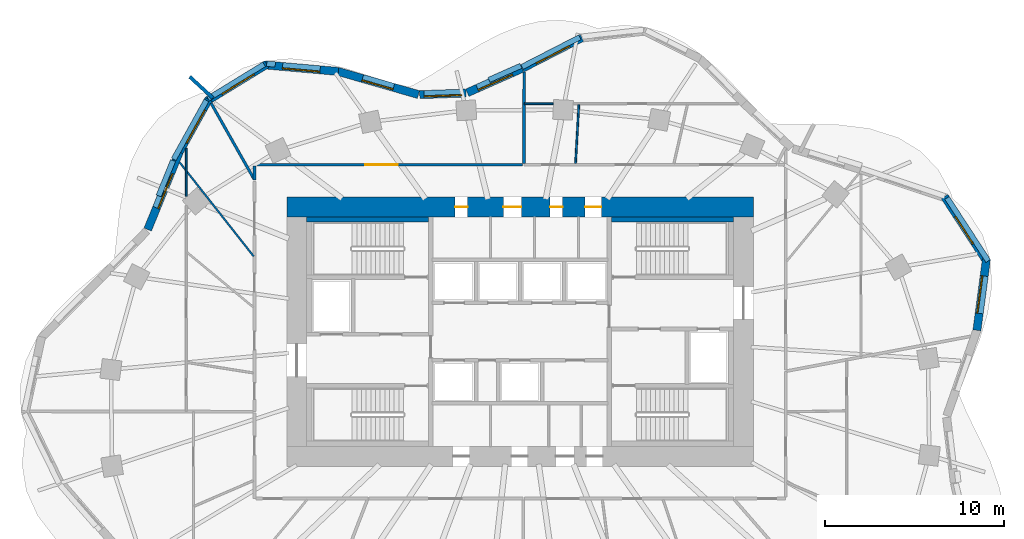
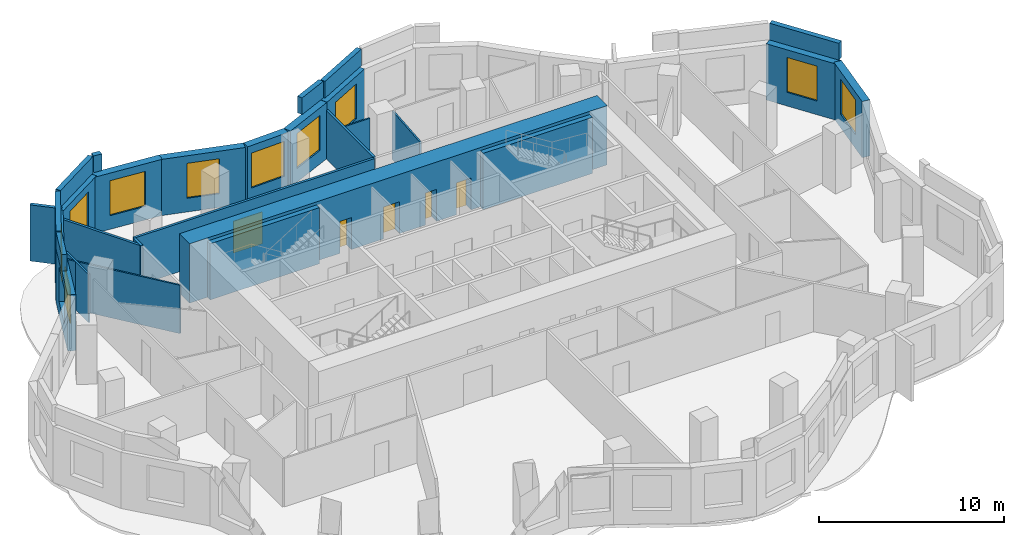
# One storey, part 7 of 10: 29 walls, 10 windows, 5 doors, 15 openings.
"""IFC4 building model written with IfcOpenShell, lengths in metres."""

from ifc_helpers import new_model, si_unit, direction, frame, frame_2d, origin, place, context, subcontext, project, spatial, rectangle, extrude, material, layer, layer_set, type_object, element, fill, save


model = new_model("IFC4")

# Units and contexts
model_context = context("Model", 3, precision=1e-05, world=origin(), true_north=direction((0.0, 1.0)))
body_context = subcontext(model_context, "Body", "Model", "MODEL_VIEW")
ifc_project = project(units=[si_unit("LENGTHUNIT", "METRE"), si_unit("AREAUNIT", "SQUARE_METRE"), si_unit("VOLUMEUNIT", "CUBIC_METRE"), si_unit("PLANEANGLEUNIT", "RADIAN"), si_unit("MASSUNIT", "GRAM", prefix="KILO")], contexts=[model_context])

# Site, building, storey
site_placement = place(None, origin())
site = spatial("IfcSite", under=ifc_project, at=site_placement, CompositionType="ELEMENT")
building_placement = place(site_placement, origin())
building = spatial("IfcBuilding", under=site, at=building_placement, Name="Rubra Terraces Tower", CompositionType="ELEMENT")
storey_placement = place(building_placement, frame((0.0, 0.0, 153.89990234375)))
storey = spatial("IfcBuildingStorey", under=building, at=storey_placement, Name="L37", CompositionType="ELEMENT", Elevation=153.89990234375)

# Wall, opening, window
ifc_material_1 = material(Name="Brick masonry red-brown", Category="masonry")
ifc_layer_1 = layer(ifc_material_1, 0.449951171875)
ifc_layer_set_1 = layer_set([ifc_layer_1], Name="Brick masonry red-brown")
wall_type_1 = type_object("IfcWallType", Name="Brick facade wall 450", PredefinedType="SOLIDWALL", material=ifc_layer_set_1)
wall_1_placement = place(storey_placement, frame((25.457275390625, 4.57470703125, 0.0), z_axis=(0.0, 0.0, 1.0), x_axis=(0.132475046402, 0.991186340746, 0.0)))
wall_1 = element("IfcWall", 1, at=wall_1_placement, inside=storey, type_object=wall_type_1, Name="Facade wall L37 bay 2", PredefinedType="SOLIDWALL", context=body_context, shape_type="SweptSolid", body=[
    extrude(rectangle(XDim=4.006591796875, YDim=0.449951171875, at=frame_2d((2.00341796875, 0.0))), origin(), (0.0, 0.0, 1.0), 3.7001953125),
])
opening_1_placement = place(wall_1_placement, frame((0.953125, 0.0, 0.89990234375)))
opening_1 = element("IfcOpeningElement", 2, at=opening_1_placement, cuts=wall_1, Name="Opening W1B", PredefinedType="OPENING", context=body_context, shape_type="SweptSolid", body=[
    extrude(rectangle(XDim=2.10009765625, YDim=2.300048828125, at=frame_2d((1.050048828125, 1.14990234375))), frame((0.0, 0.23486328125, 0.0), z_axis=(0.0, -1.0, 0.0), x_axis=(1.0, 0.0, 0.0)), (0.0, 0.0, 1.0), 0.469970703125),
])
ifc_material_2 = material(Name="Clear glass in aluminium frame", Category="aluminium")
window_type_1 = type_object("IfcWindowType", Name="Fixed deep-set window tall storey 2100 x 2300", PartitioningType="SINGLE_PANEL", PredefinedType="WINDOW", material=ifc_material_2)
window_1_placement = place(opening_1_placement, origin())
window_1 = element("IfcWindow", 3, at=window_1_placement, inside=storey, type_object=window_type_1, Name="Window L37 bay 2", OverallHeight=2.300048828125, OverallWidth=2.10009765625, PartitioningType="SINGLE_PANEL", PredefinedType="WINDOW", context=body_context, shape_type="SweptSolid", body=[
    extrude(rectangle(XDim=2.10009765625, YDim=2.300048828125, at=frame_2d((1.050048828125, 1.14990234375))), frame((0.0, 0.135009765625, 0.0), z_axis=(0.0, -1.0, 0.0), x_axis=(1.0, 0.0, 0.0)), (0.0, 0.0, 1.0), 0.06005859375),
])
fill(opening_1, window_1)

wall_2_placement = place(storey_placement, frame((26.0224609375, 8.393310546875, 0.0), z_axis=(0.0, 0.0, 1.0), x_axis=(-0.545637310328, 0.838021435035, 0.0)))
wall_2 = element("IfcWall", 4, at=wall_2_placement, inside=storey, type_object=wall_type_1, Name="Facade wall L37 bay 3", PredefinedType="SOLIDWALL", context=body_context, shape_type="SweptSolid", body=[
    extrude(rectangle(XDim=4.336181640625, YDim=0.449951171875, at=frame_2d((2.16796875, 0.0))), origin(), (0.0, 0.0, 1.0), 3.7001953125),
])
opening_2_placement = place(wall_2_placement, frame((1.268310546875, 0.0, 0.89990234375)))
opening_2 = element("IfcOpeningElement", 5, at=opening_2_placement, cuts=wall_2, Name="Opening W6B", PredefinedType="OPENING", context=body_context, shape_type="SweptSolid", body=[
    extrude(rectangle(XDim=1.800048828125, YDim=2.300048828125, at=frame_2d((0.89990234375, 1.14990234375))), frame((0.0, 0.23486328125, 0.0), z_axis=(0.0, -1.0, 0.0), x_axis=(1.0, 0.0, 0.0)), (0.0, 0.0, 1.0), 0.469970703125),
])
window_type_2 = type_object("IfcWindowType", Name="Fixed deep-set window at wind fin tall storey 1800 x 2300", PartitioningType="SINGLE_PANEL", PredefinedType="WINDOW", material=ifc_material_2)
window_2_placement = place(opening_2_placement, origin())
window_2 = element("IfcWindow", 6, at=window_2_placement, inside=storey, type_object=window_type_2, Name="Window L37 bay 3", OverallHeight=2.300048828125, OverallWidth=1.800048828125, PartitioningType="SINGLE_PANEL", PredefinedType="WINDOW", context=body_context, shape_type="SweptSolid", body=[
    extrude(rectangle(XDim=1.800048828125, YDim=2.300048828125, at=frame_2d((0.89990234375, 1.14990234375))), frame((0.0, 0.135009765625, 0.0), z_axis=(0.0, -1.0, 0.0), x_axis=(1.0, 0.0, 0.0)), (0.0, 0.0, 1.0), 0.06005859375),
])
fill(opening_2, window_2)

wall_3_placement = place(storey_placement, frame((3.439697265625, 20.879638671875, 0.0), z_axis=(0.0, 0.0, 1.0), x_axis=(-0.889471529144, -0.456990589446, 0.0)))
wall_3 = element("IfcWall", 7, at=wall_3_placement, inside=storey, type_object=wall_type_1, Name="Facade wall L37 bay 10", PredefinedType="SOLIDWALL", context=body_context, shape_type="SweptSolid", body=[
    extrude(rectangle(XDim=3.7353515625, YDim=0.449951171875, at=frame_2d((1.86767578125, 0.0))), origin(), (0.0, 0.0, 1.0), 3.7001953125),
])
opening_3_placement = place(wall_3_placement, frame((0.817626953125, 0.0, 0.89990234375)))
opening_3 = element("IfcOpeningElement", 8, at=opening_3_placement, cuts=wall_3, Name="Opening W1B", PredefinedType="OPENING", context=body_context, shape_type="SweptSolid", body=[
    extrude(rectangle(XDim=2.10009765625, YDim=2.300048828125, at=frame_2d((1.050048828125, 1.14990234375))), frame((0.0, 0.23486328125, 0.0), z_axis=(0.0, -1.0, 0.0), x_axis=(1.0, 0.0, 0.0)), (0.0, 0.0, 1.0), 0.469970703125),
])
window_3_placement = place(opening_3_placement, origin())
window_3 = element("IfcWindow", 9, at=window_3_placement, inside=storey, type_object=window_type_1, Name="Window L37 bay 10", OverallHeight=2.300048828125, OverallWidth=2.10009765625, PartitioningType="SINGLE_PANEL", PredefinedType="WINDOW", context=body_context, shape_type="SweptSolid", body=[
    extrude(rectangle(XDim=2.10009765625, YDim=2.300048828125, at=frame_2d((1.050048828125, 1.14990234375))), frame((0.0, 0.135009765625, 0.0), z_axis=(0.0, -1.0, 0.0), x_axis=(1.0, 0.0, 0.0)), (0.0, 0.0, 1.0), 0.06005859375),
])
fill(opening_3, window_3)

wall_4_placement = place(storey_placement, frame((0.105224609375, 19.1669921875, 0.0), z_axis=(0.0, 0.0, 1.0), x_axis=(-0.91414046241, -0.405397601109, 0.0)))
wall_4 = element("IfcWall", 10, at=wall_4_placement, inside=storey, type_object=wall_type_1, Name="Facade wall L37 bay 11", PredefinedType="SOLIDWALL", context=body_context, shape_type="SweptSolid", body=[
    extrude(rectangle(XDim=3.333251953125, YDim=0.449951171875, at=frame_2d((1.66650390625, 0.0))), origin(), (0.0, 0.0, 1.0), 3.7001953125),
])
opening_4_placement = place(wall_4_placement, frame((0.61669921875, 0.0, 0.89990234375)))
opening_4 = element("IfcOpeningElement", 11, at=opening_4_placement, cuts=wall_4, Name="Opening W1B", PredefinedType="OPENING", context=body_context, shape_type="SweptSolid", body=[
    extrude(rectangle(XDim=2.10009765625, YDim=2.300048828125, at=frame_2d((1.050048828125, 1.14990234375))), frame((0.0, 0.23486328125, 0.0), z_axis=(0.0, -1.0, 0.0), x_axis=(1.0, 0.0, 0.0)), (0.0, 0.0, 1.0), 0.469970703125),
])
window_4_placement = place(opening_4_placement, origin())
window_4 = element("IfcWindow", 12, at=window_4_placement, inside=storey, type_object=window_type_1, Name="Window L37 bay 11", OverallHeight=2.300048828125, OverallWidth=2.10009765625, PartitioningType="SINGLE_PANEL", PredefinedType="WINDOW", context=body_context, shape_type="SweptSolid", body=[
    extrude(rectangle(XDim=2.10009765625, YDim=2.300048828125, at=frame_2d((1.050048828125, 1.14990234375))), frame((0.0, 0.135009765625, 0.0), z_axis=(0.0, -1.0, 0.0), x_axis=(1.0, 0.0, 0.0)), (0.0, 0.0, 1.0), 0.06005859375),
])
fill(opening_4, window_4)

wall_5_placement = place(storey_placement, frame((-3.022216796875, 17.797607421875, 0.0), z_axis=(0.0, 0.0, 1.0), x_axis=(-0.999339560591, -0.036337895349, 0.0)))
wall_5 = element("IfcWall", 13, at=wall_5_placement, inside=storey, type_object=wall_type_1, Name="Facade wall L37 bay 12", PredefinedType="SOLIDWALL", context=body_context, shape_type="SweptSolid", body=[
    extrude(rectangle(XDim=2.5732421875, YDim=0.449951171875, at=frame_2d((1.28662109375, 0.0))), origin(), (0.0, 0.0, 1.0), 3.7001953125),
])
opening_5_placement = place(wall_5_placement, frame((0.236572265625, 0.0, 0.89990234375)))
opening_5 = element("IfcOpeningElement", 14, at=opening_5_placement, cuts=wall_5, Name="Opening W1B", PredefinedType="OPENING", context=body_context, shape_type="SweptSolid", body=[
    extrude(rectangle(XDim=2.10009765625, YDim=2.300048828125, at=frame_2d((1.050048828125, 1.14990234375))), frame((0.0, 0.23486328125, 0.0), z_axis=(0.0, -1.0, 0.0), x_axis=(1.0, 0.0, 0.0)), (0.0, 0.0, 1.0), 0.469970703125),
])
window_5_placement = place(opening_5_placement, origin())
window_5 = element("IfcWindow", 15, at=window_5_placement, inside=storey, type_object=window_type_1, Name="Window L37 bay 12", OverallHeight=2.300048828125, OverallWidth=2.10009765625, PartitioningType="SINGLE_PANEL", PredefinedType="WINDOW", context=body_context, shape_type="SweptSolid", body=[
    extrude(rectangle(XDim=2.10009765625, YDim=2.300048828125, at=frame_2d((1.050048828125, 1.14990234375))), frame((0.0, 0.135009765625, 0.0), z_axis=(0.0, -1.0, 0.0), x_axis=(1.0, 0.0, 0.0)), (0.0, 0.0, 1.0), 0.06005859375),
])
fill(opening_5, window_5)

wall_6_placement = place(storey_placement, frame((-5.6640625, 17.712646484375, 0.0), z_axis=(0.0, 0.0, 1.0), x_axis=(-0.961108031684, 0.276172684083, 0.0)))
wall_6 = element("IfcWall", 16, at=wall_6_placement, inside=storey, type_object=wall_type_1, Name="Facade wall L37 bay 13", PredefinedType="SOLIDWALL", context=body_context, shape_type="SweptSolid", body=[
    extrude(rectangle(XDim=4.686279296875, YDim=0.449951171875, at=frame_2d((2.34326171875, 0.0))), origin(), (0.0, 0.0, 1.0), 3.7001953125),
])
opening_6_placement = place(wall_6_placement, frame((1.443115234375, 0.0, 0.89990234375)))
opening_6 = element("IfcOpeningElement", 17, at=opening_6_placement, cuts=wall_6, Name="Opening W6B", PredefinedType="OPENING", context=body_context, shape_type="SweptSolid", body=[
    extrude(rectangle(XDim=1.800048828125, YDim=2.300048828125, at=frame_2d((0.89990234375, 1.14990234375))), frame((0.0, 0.23486328125, 0.0), z_axis=(0.0, -1.0, 0.0), x_axis=(1.0, 0.0, 0.0)), (0.0, 0.0, 1.0), 0.469970703125),
])
window_6_placement = place(opening_6_placement, origin())
window_6 = element("IfcWindow", 18, at=window_6_placement, inside=storey, type_object=window_type_2, Name="Window L37 bay 13", OverallHeight=2.300048828125, OverallWidth=1.800048828125, PartitioningType="SINGLE_PANEL", PredefinedType="WINDOW", context=body_context, shape_type="SweptSolid", body=[
    extrude(rectangle(XDim=1.800048828125, YDim=2.300048828125, at=frame_2d((0.89990234375, 1.14990234375))), frame((0.0, 0.135009765625, 0.0), z_axis=(0.0, -1.0, 0.0), x_axis=(1.0, 0.0, 0.0)), (0.0, 0.0, 1.0), 0.06005859375),
])
fill(opening_6, window_6)

wall_7_placement = place(storey_placement, frame((-10.125732421875, 18.9990234375, 0.0), z_axis=(0.0, 0.0, 1.0), x_axis=(-0.996031087117, 0.089006030672, 0.0)))
wall_7 = element("IfcWall", 19, at=wall_7_placement, inside=storey, type_object=wall_type_1, Name="Facade wall L37 bay 14", PredefinedType="SOLIDWALL", context=body_context, shape_type="SweptSolid", body=[
    extrude(rectangle(XDim=4.14453125, YDim=0.449951171875, at=frame_2d((2.072265625, 0.0))), origin(), (0.0, 0.0, 1.0), 3.7001953125),
])
opening_7_placement = place(wall_7_placement, frame((1.022216796875, 0.0, 0.89990234375)))
opening_7 = element("IfcOpeningElement", 20, at=opening_7_placement, cuts=wall_7, Name="Opening W1B", PredefinedType="OPENING", context=body_context, shape_type="SweptSolid", body=[
    extrude(rectangle(XDim=2.10009765625, YDim=2.300048828125, at=frame_2d((1.050048828125, 1.14990234375))), frame((0.0, 0.23486328125, 0.0), z_axis=(0.0, -1.0, 0.0), x_axis=(1.0, 0.0, 0.0)), (0.0, 0.0, 1.0), 0.469970703125),
])
window_7_placement = place(opening_7_placement, origin())
window_7 = element("IfcWindow", 21, at=window_7_placement, inside=storey, type_object=window_type_1, Name="Window L37 bay 14", OverallHeight=2.300048828125, OverallWidth=2.10009765625, PartitioningType="SINGLE_PANEL", PredefinedType="WINDOW", context=body_context, shape_type="SweptSolid", body=[
    extrude(rectangle(XDim=2.10009765625, YDim=2.300048828125, at=frame_2d((1.050048828125, 1.14990234375))), frame((0.0, 0.135009765625, 0.0), z_axis=(0.0, -1.0, 0.0), x_axis=(1.0, 0.0, 0.0)), (0.0, 0.0, 1.0), 0.06005859375),
])
fill(opening_7, window_7)

wall_8_placement = place(storey_placement, frame((-14.116455078125, 19.400146484375, 0.0), z_axis=(0.0, 0.0, 1.0), x_axis=(-0.852622865325, -0.522526793117, 0.0)))
wall_8 = element("IfcWall", 22, at=wall_8_placement, inside=storey, type_object=wall_type_1, Name="Facade wall L37 bay 15", PredefinedType="SOLIDWALL", context=body_context, shape_type="SweptSolid", body=[
    extrude(rectangle(XDim=3.896240234375, YDim=0.449951171875, at=frame_2d((1.9482421875, 0.0))), origin(), (0.0, 0.0, 1.0), 3.7001953125),
])
opening_8_placement = place(wall_8_placement, frame((0.898193359375, 0.0, 0.89990234375)))
opening_8 = element("IfcOpeningElement", 23, at=opening_8_placement, cuts=wall_8, Name="Opening W1B", PredefinedType="OPENING", context=body_context, shape_type="SweptSolid", body=[
    extrude(rectangle(XDim=2.10009765625, YDim=2.300048828125, at=frame_2d((1.050048828125, 1.14990234375))), frame((0.0, 0.23486328125, 0.0), z_axis=(0.0, -1.0, 0.0), x_axis=(1.0, 0.0, 0.0)), (0.0, 0.0, 1.0), 0.469970703125),
])
window_8_placement = place(opening_8_placement, origin())
window_8 = element("IfcWindow", 24, at=window_8_placement, inside=storey, type_object=window_type_1, Name="Window L37 bay 15", OverallHeight=2.300048828125, OverallWidth=2.10009765625, PartitioningType="SINGLE_PANEL", PredefinedType="WINDOW", context=body_context, shape_type="SweptSolid", body=[
    extrude(rectangle(XDim=2.10009765625, YDim=2.300048828125, at=frame_2d((1.050048828125, 1.14990234375))), frame((0.0, 0.135009765625, 0.0), z_axis=(0.0, -1.0, 0.0), x_axis=(1.0, 0.0, 0.0)), (0.0, 0.0, 1.0), 0.06005859375),
])
fill(opening_8, window_8)

wall_9_placement = place(storey_placement, frame((-17.359375, 17.44677734375, 0.0), z_axis=(0.0, 0.0, 1.0), x_axis=(-0.485618126214, -0.874171056197, 0.0)))
wall_9 = element("IfcWall", 25, at=wall_9_placement, inside=storey, type_object=wall_type_1, Name="Facade wall L37 bay 16", PredefinedType="SOLIDWALL", context=body_context, shape_type="SweptSolid", body=[
    extrude(rectangle(XDim=3.3427734375, YDim=0.449951171875, at=frame_2d((1.67138671875, 0.0))), origin(), (0.0, 0.0, 1.0), 3.7001953125),
])
opening_9_placement = place(wall_9_placement, frame((0.621337890625, 0.0, 0.89990234375)))
opening_9 = element("IfcOpeningElement", 26, at=opening_9_placement, cuts=wall_9, Name="Opening W1B", PredefinedType="OPENING", context=body_context, shape_type="SweptSolid", body=[
    extrude(rectangle(XDim=2.10009765625, YDim=2.300048828125, at=frame_2d((1.050048828125, 1.14990234375))), frame((0.0, 0.23486328125, 0.0), z_axis=(0.0, -1.0, 0.0), x_axis=(1.0, 0.0, 0.0)), (0.0, 0.0, 1.0), 0.469970703125),
])
window_9_placement = place(opening_9_placement, origin())
window_9 = element("IfcWindow", 27, at=window_9_placement, inside=storey, type_object=window_type_1, Name="Window L37 bay 16", OverallHeight=2.300048828125, OverallWidth=2.10009765625, PartitioningType="SINGLE_PANEL", PredefinedType="WINDOW", context=body_context, shape_type="SweptSolid", body=[
    extrude(rectangle(XDim=2.10009765625, YDim=2.300048828125, at=frame_2d((1.050048828125, 1.14990234375))), frame((0.0, 0.135009765625, 0.0), z_axis=(0.0, -1.0, 0.0), x_axis=(1.0, 0.0, 0.0)), (0.0, 0.0, 1.0), 0.06005859375),
])
fill(opening_9, window_9)

wall_10_placement = place(storey_placement, frame((-18.97119140625, 14.548828125, 0.0), z_axis=(0.0, 0.0, 1.0), x_axis=(-0.378434936431, -0.925627894398, 0.0)))
wall_10 = element("IfcWall", 28, at=wall_10_placement, inside=storey, type_object=wall_type_1, Name="Facade wall L37 bay 17", PredefinedType="SOLIDWALL", context=body_context, shape_type="SweptSolid", body=[
    extrude(rectangle(XDim=4.70751953125, YDim=0.449951171875, at=frame_2d((2.353759765625, 0.0))), origin(), (0.0, 0.0, 1.0), 3.7001953125),
])
opening_10_placement = place(wall_10_placement, frame((1.3037109375, 0.0, 0.89990234375)))
opening_10 = element("IfcOpeningElement", 29, at=opening_10_placement, cuts=wall_10, Name="Opening W1B", PredefinedType="OPENING", context=body_context, shape_type="SweptSolid", body=[
    extrude(rectangle(XDim=2.10009765625, YDim=2.300048828125, at=frame_2d((1.050048828125, 1.14990234375))), frame((0.0, 0.23486328125, 0.0), z_axis=(0.0, -1.0, 0.0), x_axis=(1.0, 0.0, 0.0)), (0.0, 0.0, 1.0), 0.469970703125),
])
window_10_placement = place(opening_10_placement, origin())
window_10 = element("IfcWindow", 30, at=window_10_placement, inside=storey, type_object=window_type_1, Name="Window L37 bay 17", OverallHeight=2.300048828125, OverallWidth=2.10009765625, PartitioningType="SINGLE_PANEL", PredefinedType="WINDOW", context=body_context, shape_type="SweptSolid", body=[
    extrude(rectangle(XDim=2.10009765625, YDim=2.300048828125, at=frame_2d((1.050048828125, 1.14990234375))), frame((0.0, 0.135009765625, 0.0), z_axis=(0.0, -1.0, 0.0), x_axis=(1.0, 0.0, 0.0)), (0.0, 0.0, 1.0), 0.06005859375),
])
fill(opening_10, window_10)

# Walls
ifc_layer_2 = layer(ifc_material_1, 0.300048828125)
ifc_layer_set_2 = layer_set([ifc_layer_2], Name="Brick masonry red-brown")
wall_type_2 = type_object("IfcWallType", Name="Brick parapet 300", PredefinedType="PARAPET", material=ifc_layer_set_2)
wall_11_placement = place(storey_placement, frame((26.085205078125, 8.43408203125, 3.900146484375), z_axis=(0.0, 0.0, 1.0), x_axis=(-0.545602949585, 0.838043806375, 0.0)))
element("IfcWall", 31, at=wall_11_placement, inside=storey, type_object=wall_type_2, Name="Parapet L37 bay 3", PredefinedType="PARAPET", context=body_context, shape_type="SweptSolid", body=[
    extrude(rectangle(XDim=4.20166015625, YDim=0.300048828125, at=frame_2d((2.100830078125, 0.0))), origin(), (0.0, 0.0, 1.0), 1.099853515625),
])
wall_12_placement = place(storey_placement, frame((3.33154296875, 20.908447265625, 3.900146484375), z_axis=(0.0, 0.0, 1.0), x_axis=(-0.889469340024, -0.456994850252, 0.0)))
element("IfcWall", 32, at=wall_12_placement, inside=storey, type_object=wall_type_2, Name="Parapet L37 bay 10", PredefinedType="PARAPET", context=body_context, shape_type="SweptSolid", body=[
    extrude(rectangle(XDim=3.624267578125, YDim=0.300048828125, at=frame_2d((1.81201171875, 0.0))), origin(), (0.0, 0.0, 1.0), 1.099853515625),
])
wall_13_placement = place(storey_placement, frame((0.042236328125, 19.314208984375, 3.900146484375), z_axis=(0.0, 0.0, 1.0), x_axis=(-0.914153218407, -0.405368836094, 0.0)))
element("IfcWall", 33, at=wall_13_placement, inside=storey, type_object=wall_type_2, Name="Parapet L37 bay 11", PredefinedType="PARAPET", context=body_context, shape_type="SweptSolid", body=[
    extrude(rectangle(XDim=1.94287109375, YDim=0.300048828125, at=frame_2d((0.971435546875, 0.0))), origin(), (0.0, 0.0, 1.0), 1.099853515625),
])
wall_14_placement = place(storey_placement, frame((-13.6416015625, 19.388427734375, 3.900146484375), z_axis=(0.0, 0.0, 1.0), x_axis=(-0.996013480057, 0.089202844939, 0.0)))
element("IfcWall", 34, at=wall_14_placement, inside=storey, type_object=wall_type_2, Name="Parapet L37 bay 14", PredefinedType="PARAPET", context=body_context, shape_type="SweptSolid", body=[
    extrude(rectangle(XDim=0.47900390625, YDim=0.300048828125, at=frame_2d((0.239501953125, 0.0))), origin(), (0.0, 0.0, 1.0), 1.099853515625),
])
wall_15_placement = place(storey_placement, frame((-14.265869140625, 19.396484375, 3.900146484375), z_axis=(0.0, 0.0, 1.0), x_axis=(-0.852626191256, -0.522521366055, 0.0)))
element("IfcWall", 35, at=wall_15_placement, inside=storey, type_object=wall_type_2, Name="Parapet L37 bay 15", PredefinedType="PARAPET", context=body_context, shape_type="SweptSolid", body=[
    extrude(rectangle(XDim=3.657958984375, YDim=0.300048828125, at=frame_2d((1.8291015625, 0.0))), origin(), (0.0, 0.0, 1.0), 1.099853515625),
])
wall_16_placement = place(storey_placement, frame((-17.477783203125, 17.387939453125, 3.900146484375), z_axis=(0.0, 0.0, 1.0), x_axis=(-0.485615332884, -0.874172607937, 0.0)))
element("IfcWall", 36, at=wall_16_placement, inside=storey, type_object=wall_type_2, Name="Parapet L37 bay 16", PredefinedType="PARAPET", context=body_context, shape_type="SweptSolid", body=[
    extrude(rectangle(XDim=3.755615234375, YDim=0.300048828125, at=frame_2d((1.8779296875, 0.0))), origin(), (0.0, 0.0, 1.0), 1.099853515625),
])
wall_17_placement = place(storey_placement, frame((-19.335205078125, 14.034912109375, 3.900146484375), z_axis=(0.0, 0.0, 1.0), x_axis=(-0.378507637822, -0.925598167733, 0.0)))
element("IfcWall", 37, at=wall_17_placement, inside=storey, type_object=wall_type_2, Name="Parapet L37 bay 17", PredefinedType="PARAPET", context=body_context, shape_type="SweptSolid", body=[
    extrude(rectangle(XDim=2.1259765625, YDim=0.300048828125, at=frame_2d((1.06298828125, 0.0))), origin(), (0.0, 0.0, 1.0), 1.099853515625),
])
ifc_layer_3 = layer(ifc_material_1, 0.199951171875)
ifc_layer_set_3 = layer_set([ifc_layer_3], Name="Brick masonry red-brown")
wall_type_3 = type_object("IfcWallType", Name="Brick wind fin 200", PredefinedType="SOLIDWALL", material=ifc_layer_set_3)
wall_18_placement = place(storey_placement, frame((-17.118896484375, 17.52294921875, 0.0), z_axis=(0.0, 0.0, 1.0), x_axis=(-0.737866019047, 0.674947211221, 0.0)))
element("IfcWall", 38, at=wall_18_placement, inside=storey, type_object=wall_type_3, Name="Wind fin L37 8", PredefinedType="SOLIDWALL", context=body_context, shape_type="SweptSolid", body=[
    extrude(rectangle(XDim=1.75, YDim=0.199951171875, at=frame_2d((0.875, 0.0))), origin(), (0.0, 0.0, 1.0), 3.7001953125),
])

# Wall, openings, doors
ifc_material_3 = material(Name="Concrete C60", Category="concrete")
ifc_layer_4 = layer(ifc_material_3, 1.10009765625)
ifc_layer_set_4 = layer_set([ifc_layer_4], Name="Concrete C60")
wall_type_4 = type_object("IfcWallType", Name="CORE WALL 1100 C60", PredefinedType="SHEAR", material=ifc_layer_set_4)
wall_19_placement = place(storey_placement, frame((-13.0, 11.449951171875, 0.0), z_axis=(0.0, 0.0, 1.0), x_axis=(1.0, 0.0, 0.0)))
wall_19 = element("IfcWall", 39, at=wall_19_placement, inside=storey, type_object=wall_type_4, Name="CORE WALL N L37", PredefinedType="SHEAR", context=body_context, shape_type="SweptSolid", body=[
    extrude(rectangle(XDim=26.0, YDim=1.10009765625, at=frame_2d((13.0, 0.0))), origin(), (0.0, 0.0, 1.0), 3.900146484375),
])
opening_11_placement = place(wall_19_placement, frame((9.375, 0.0, 0.0)))
opening_11 = element("IfcOpeningElement", 40, at=opening_11_placement, cuts=wall_19, Name="Opening L37.C25", PredefinedType="OPENING", context=body_context, shape_type="SweptSolid", body=[
    extrude(rectangle(XDim=0.699951171875, YDim=2.10009765625, at=frame_2d((0.35009765625, 1.050048828125))), frame((0.0, 0.56005859375, 0.0), z_axis=(0.0, -1.0, 0.0), x_axis=(1.0, 0.0, 0.0)), (0.0, 0.0, 1.0), 1.1201171875),
])
opening_12_placement = place(wall_19_placement, frame((12.074951171875, 0.0, 0.0)))
opening_12 = element("IfcOpeningElement", 41, at=opening_12_placement, cuts=wall_19, Name="Opening L37.C26", PredefinedType="OPENING", context=body_context, shape_type="SweptSolid", body=[
    extrude(rectangle(XDim=1.0, YDim=2.10009765625, at=frame_2d((0.5, 1.050048828125))), frame((0.0, 0.56005859375, 0.0), z_axis=(0.0, -1.0, 0.0), x_axis=(1.0, 0.0, 0.0)), (0.0, 0.0, 1.0), 1.1201171875),
])
opening_13_placement = place(wall_19_placement, frame((14.675048828125, 0.0, 0.0)))
opening_13 = element("IfcOpeningElement", 42, at=opening_13_placement, cuts=wall_19, Name="Opening L37.C27", PredefinedType="OPENING", context=body_context, shape_type="SweptSolid", body=[
    extrude(rectangle(XDim=0.699951171875, YDim=2.10009765625, at=frame_2d((0.35009765625, 1.050048828125))), frame((0.0, 0.56005859375, 0.0), z_axis=(0.0, -1.0, 0.0), x_axis=(1.0, 0.0, 0.0)), (0.0, 0.0, 1.0), 1.1201171875),
])
opening_14_placement = place(wall_19_placement, frame((16.625, 0.0, 0.0)))
opening_14 = element("IfcOpeningElement", 43, at=opening_14_placement, cuts=wall_19, Name="Opening L37.C28", PredefinedType="OPENING", context=body_context, shape_type="SweptSolid", body=[
    extrude(rectangle(XDim=0.89990234375, YDim=2.10009765625, at=frame_2d((0.449951171875, 1.050048828125))), frame((0.0, 0.56005859375, 0.0), z_axis=(0.0, -1.0, 0.0), x_axis=(1.0, 0.0, 0.0)), (0.0, 0.0, 1.0), 1.1201171875),
])
ifc_material_4 = material(Name="Painted steel", Category="steel")
door_type_1 = type_object("IfcDoorType", Name="Fire door 1000x2100 single", OperationType="NOTDEFINED", PredefinedType="DOOR", material=ifc_material_4)
door_1_placement = place(opening_12_placement, origin())
door_1 = element("IfcDoor", 44, at=door_1_placement, inside=storey, type_object=door_type_1, Name="General store door", OperationType="SINGLE_SWING_RIGHT", OverallHeight=2.10009765625, OverallWidth=1.0, PredefinedType="DOOR", context=body_context, shape_type="SweptSolid", body=[
    extrude(rectangle(XDim=1.0, YDim=2.10009765625, at=frame_2d((0.5, 1.050048828125))), frame((0.0, 0.02490234375, 0.0), z_axis=(0.0, -1.0, 0.0), x_axis=(1.0, 0.0, 0.0)), (0.0, 0.0, 1.0), 0.050048828125),
])
fill(opening_12, door_1)
door_type_2 = type_object("IfcDoorType", Name="Fire door 900x2100 single", OperationType="NOTDEFINED", PredefinedType="DOOR", material=ifc_material_4)
door_2_placement = place(opening_14_placement, origin())
door_2 = element("IfcDoor", 45, at=door_2_placement, inside=storey, type_object=door_type_2, Name="Cleaner's store door", OperationType="SINGLE_SWING_RIGHT", OverallHeight=2.10009765625, OverallWidth=0.89990234375, PredefinedType="DOOR", context=body_context, shape_type="SweptSolid", body=[
    extrude(rectangle(XDim=0.89990234375, YDim=2.10009765625, at=frame_2d((0.449951171875, 1.050048828125))), frame((0.0, 0.02490234375, 0.0), z_axis=(0.0, -1.0, 0.0), x_axis=(1.0, 0.0, 0.0)), (0.0, 0.0, 1.0), 0.050048828125),
])
fill(opening_14, door_2)
door_type_3 = type_object("IfcDoorType", Name="Riser access door 700x2100 single", OperationType="NOTDEFINED", PredefinedType="DOOR", material=ifc_material_4)
door_3_placement = place(opening_11_placement, origin())
door_3 = element("IfcDoor", 46, at=door_3_placement, inside=storey, type_object=door_type_3, Name="Telecoms room door", OperationType="SINGLE_SWING_LEFT", OverallHeight=2.10009765625, OverallWidth=0.699951171875, PredefinedType="DOOR", context=body_context, shape_type="SweptSolid", body=[
    extrude(rectangle(XDim=0.699951171875, YDim=2.10009765625, at=frame_2d((0.35009765625, 1.050048828125))), frame((0.0, 0.02490234375, 0.0), z_axis=(0.0, -1.0, 0.0), x_axis=(1.0, 0.0, 0.0)), (0.0, 0.0, 1.0), 0.050048828125),
])
fill(opening_11, door_3)
door_4_placement = place(opening_13_placement, origin())
door_4 = element("IfcDoor", 47, at=door_4_placement, inside=storey, type_object=door_type_3, Name="Electrical riser room door", OperationType="SINGLE_SWING_LEFT", OverallHeight=2.10009765625, OverallWidth=0.699951171875, PredefinedType="DOOR", context=body_context, shape_type="SweptSolid", body=[
    extrude(rectangle(XDim=0.699951171875, YDim=2.10009765625, at=frame_2d((0.35009765625, 1.050048828125))), frame((0.0, 0.02490234375, 0.0), z_axis=(0.0, -1.0, 0.0), x_axis=(1.0, 0.0, 0.0)), (0.0, 0.0, 1.0), 0.050048828125),
])
fill(opening_13, door_4)

# Wall, opening, door
ifc_material_5 = material(Name="Plasterboard on steel stud, mineral wool infill", Category="steel")
ifc_layer_5 = layer(ifc_material_5, 0.14990234375)
ifc_layer_set_5 = layer_set([ifc_layer_5], Name="Plasterboard on steel stud, mineral wool infill")
wall_type_5 = type_object("IfcWallType", Name="CORRIDOR PARTITION 150", PredefinedType="PARTITIONING", material=ifc_layer_set_5)
wall_20_placement = place(storey_placement, frame((0.138916015625, 13.800048828125, 0.0), z_axis=(0.0, 0.0, 1.0), x_axis=(-1.0, 0.0, 0.0)))
wall_20 = element("IfcWall", 48, at=wall_20_placement, inside=storey, type_object=wall_type_5, Name="PARTITION", PredefinedType="PARTITIONING", context=body_context, shape_type="SweptSolid", body=[
    extrude(rectangle(XDim=14.93896484375, YDim=0.14990234375, at=frame_2d((7.469482421875, 0.0))), origin(), (0.0, 0.0, 1.0), 3.197998046875),
])
opening_15_placement = place(wall_20_placement, frame((6.9541015625, 0.0, 0.0)))
opening_15 = element("IfcOpeningElement", 49, at=opening_15_placement, cuts=wall_20, Name="Opening 37-103", PredefinedType="OPENING", context=body_context, shape_type="SweptSolid", body=[
    extrude(rectangle(XDim=1.800048828125, YDim=2.10009765625, at=frame_2d((0.89990234375, 1.050048828125))), frame((0.0, 0.0849609375, 0.0), z_axis=(0.0, -1.0, 0.0), x_axis=(1.0, 0.0, 0.0)), (0.0, 0.0, 1.0), 0.169921875),
])
ifc_material_6 = material(Name="Painted timber door leaf, double", Category="wood")
door_type_4 = type_object("IfcDoorType", Name="ROOM DOUBLE DOOR 1800 X 2100", OperationType="DOUBLE_DOOR_SINGLE_SWING", PredefinedType="DOOR", material=ifc_material_6)
door_5_placement = place(opening_15_placement, origin())
door_5 = element("IfcDoor", 50, at=door_5_placement, inside=storey, type_object=door_type_4, Name="DOOR 37-103", OperationType="DOUBLE_DOOR_SINGLE_SWING", OverallHeight=2.10009765625, OverallWidth=1.800048828125, PredefinedType="DOOR", context=body_context, shape_type="SweptSolid", body=[
    extrude(rectangle(XDim=1.800048828125, YDim=2.10009765625, at=frame_2d((0.89990234375, 1.050048828125))), frame((0.0, 0.02490234375, 0.0), z_axis=(0.0, -1.0, 0.0), x_axis=(1.0, 0.0, 0.0)), (0.0, 0.0, 1.0), 0.050048828125),
])
fill(opening_15, door_5)

# Walls
wall_21_placement = place(storey_placement, frame((-14.800048828125, 13.72509765625, 0.0), z_axis=(0.0, 0.0, 1.0), x_axis=(0.0, -1.0, 0.0)))
element("IfcWall", 51, at=wall_21_placement, inside=storey, type_object=wall_type_5, Name="PARTITION", PredefinedType="PARTITIONING", context=body_context, shape_type="SweptSolid", body=[
    extrude(rectangle(XDim=0.7685546875, YDim=0.14990234375, at=frame_2d((0.38427734375, 0.0))), origin(), (0.0, 0.0, 1.0), 3.197998046875),
])
ifc_material_7 = material(Name="Concrete C40", Category="concrete")
ifc_layer_6 = layer(ifc_material_7, 0.300048828125)
ifc_layer_set_6 = layer_set([ifc_layer_6], Name="Concrete C40")
wall_type_6 = type_object("IfcWallType", Name="Core lining wall 300 concrete", PredefinedType="SOLIDWALL", material=ifc_layer_set_6)
for number, where, z_axis, x_axis, name in (
    (52, (-11.89990234375, 10.75, 0.0), (0.0, 0.0, 1.0), (1.0, 0.0, 0.0), "CORE LINING WALL L37"),
    (53, (11.89990234375, 10.75, 0.0), (0.0, 0.0, 1.0), (-1.0, 0.0, 0.0), "CORE LINING WALL L37"),
):
    element("IfcWall", number, at=place(storey_placement, frame(where, z_axis=z_axis, x_axis=x_axis)), inside=storey, type_object=wall_type_6, Name=name, PredefinedType="SOLIDWALL", context=body_context, shape_type="SweptSolid", body=[
        extrude(rectangle(XDim=6.7998046875, YDim=0.300048828125, at=frame_2d((3.39990234375, 0.0))), origin(), (0.0, 0.0, 1.0), 3.7001953125),
    ])
ifc_material_8 = material(Name="Plasterboard on steel stud", Category="steel")
ifc_layer_7 = layer(ifc_material_8, 0.10009765625)
ifc_layer_set_7 = layer_set([ifc_layer_7], Name="Plasterboard on steel stud")
wall_type_7 = type_object("IfcWallType", Name="ROOM PARTITION 100", PredefinedType="PARTITIONING", material=ifc_layer_set_7)
wall_22_placement = place(storey_placement, frame((0.2412109375, 17.199951171875, 0.0), z_axis=(0.0, 0.0, 1.0), x_axis=(1.0, 0.0, 0.0)))
element("IfcWall", 54, at=wall_22_placement, inside=storey, type_object=wall_type_7, Name="PARTITION", PredefinedType="PARTITIONING", context=body_context, shape_type="SweptSolid", body=[
    extrude(rectangle(XDim=1.5966796875, YDim=0.10009765625, at=frame_2d((0.79833984375, 0.0))), origin(), (0.0, 0.0, 1.0), 3.18408203125),
])
wall_23_placement = place(storey_placement, frame((3.0908203125, 13.875, 0.0), z_axis=(0.0, 0.0, 1.0), x_axis=(0.056042978235, 0.998428357265, 0.0)))
element("IfcWall", 55, at=wall_23_placement, inside=storey, type_object=wall_type_7, Name="PARTITION", PredefinedType="PARTITIONING", context=body_context, shape_type="SweptSolid", body=[
    extrude(rectangle(XDim=3.2802734375, YDim=0.10009765625, at=frame_2d((1.64013671875, 0.0))), origin(), (0.0, 0.0, 1.0), 3.18408203125),
])
wall_24_placement = place(storey_placement, frame((-18.60009765625, 12.036865234375, 0.0), z_axis=(0.0, 0.0, 1.0), x_axis=(0.0, 1.0, 0.0)))
element("IfcWall", 56, at=wall_24_placement, inside=storey, type_object=wall_type_7, Name="PARTITION", PredefinedType="PARTITIONING", context=body_context, shape_type="SweptSolid", body=[
    extrude(rectangle(XDim=2.672119140625, YDim=0.10009765625, at=frame_2d((1.3359375, 0.0))), origin(), (0.0, 0.0, 1.0), 3.18408203125),
])
wall_25_placement = place(storey_placement, frame((-14.846435546875, 8.697998046875, 0.0), z_axis=(0.0, 0.0, 1.0), x_axis=(-0.618909900832, 0.785461988038, 0.0)))
element("IfcWall", 57, at=wall_25_placement, inside=storey, type_object=wall_type_7, Name="PARTITION", PredefinedType="PARTITIONING", context=body_context, shape_type="SweptSolid", body=[
    extrude(rectangle(XDim=6.663818359375, YDim=0.10009765625, at=frame_2d((3.33203125, 0.0))), origin(), (0.0, 0.0, 1.0), 3.18408203125),
])
ifc_layer_8 = layer(ifc_material_8, 0.14990234375)
ifc_layer_set_8 = layer_set([ifc_layer_8], Name="Plasterboard on steel stud")
wall_type_8 = type_object("IfcWallType", Name="ROOM PARTITION 150", PredefinedType="PARTITIONING", material=ifc_layer_set_8)
wall_26_placement = place(storey_placement, frame((0.22509765625, 18.970458984375, 0.0), z_axis=(0.0, 0.0, 1.0), x_axis=(-0.002156096756, -0.999997675621, 0.0)))
element("IfcWall", 58, at=wall_26_placement, inside=storey, type_object=wall_type_8, Name="PARTITION", PredefinedType="PARTITIONING", context=body_context, shape_type="SweptSolid", body=[
    extrude(rectangle(XDim=5.095458984375, YDim=0.14990234375, at=frame_2d((2.5478515625, 0.0))), origin(), (0.0, 0.0, 1.0), 3.197998046875),
])
wall_27_placement = place(storey_placement, frame((-17.2177734375, 17.22998046875, 0.0), z_axis=(0.0, 0.0, 1.0), x_axis=(0.492436580725, -0.870348329098, 0.0)))
element("IfcWall", 59, at=wall_27_placement, inside=storey, type_object=wall_type_8, Name="PARTITION", PredefinedType="PARTITIONING", context=body_context, shape_type="SweptSolid", body=[
    extrude(rectangle(XDim=4.8349609375, YDim=0.14990234375, at=frame_2d((2.41748046875, 0.0))), origin(), (0.0, 0.0, 1.0), 3.197998046875),
])

save(model, "model.ifc")
